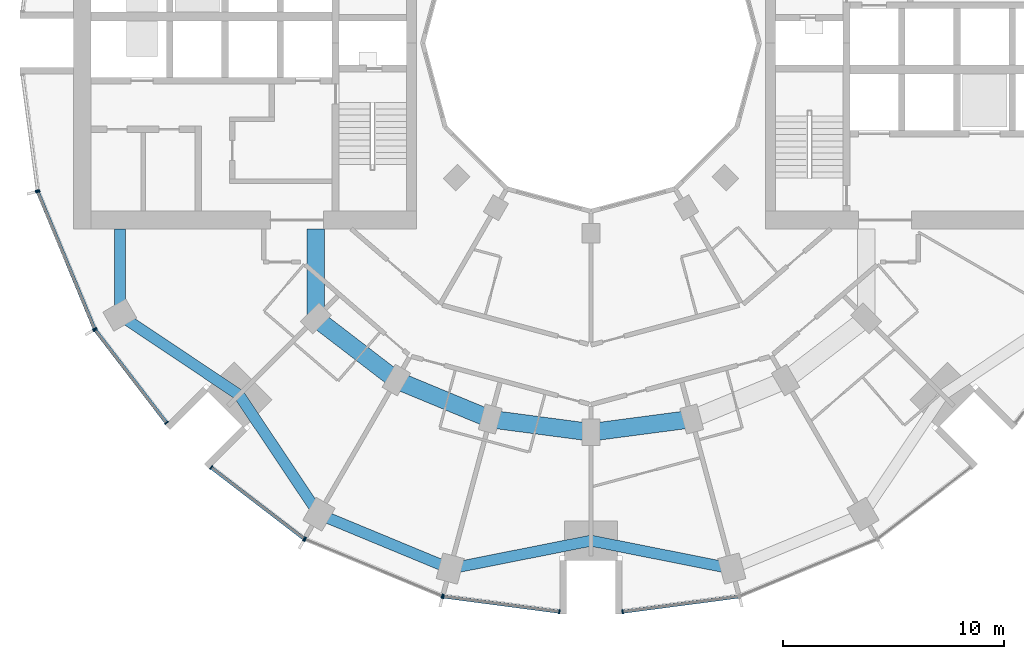
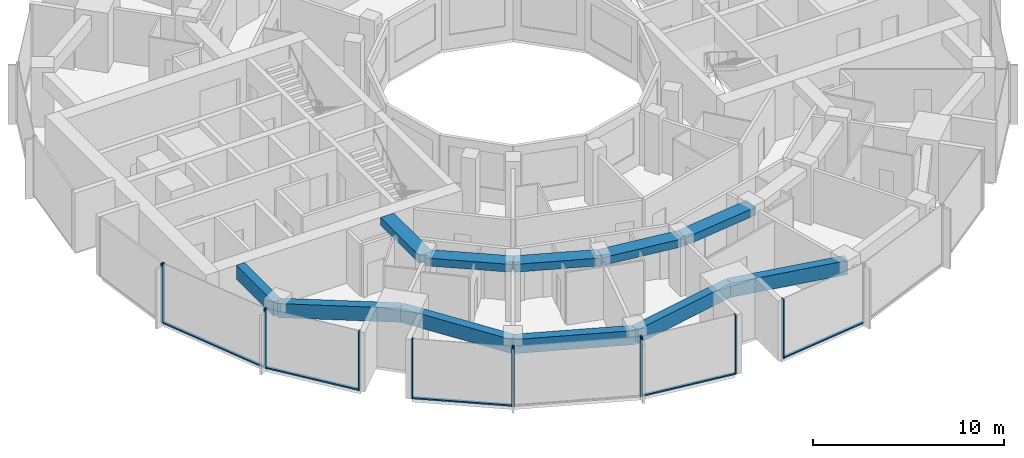
# One storey, part 2 of 15: 17 members, 11 beams, 7 elements without a shape of their own.
"""IFC4 building model written with IfcOpenShell, lengths in metres."""

from ifc_helpers import new_model, si_unit, direction, frame, origin, origin_2d, place, context, subcontext, project, spatial, rectangle, extrude, material, layer, layer_set, material_profile, profile_set, type_object, element, aggregate, save


model = new_model("IFC4")

# Units and contexts
model_context = context("Model", 3, precision=1e-05, world=origin(), true_north=direction((0.0, 1.0)))
body_context = subcontext(model_context, "Body", "Model", "MODEL_VIEW")
ifc_project = project(units=[si_unit("LENGTHUNIT", "METRE"), si_unit("AREAUNIT", "SQUARE_METRE"), si_unit("VOLUMEUNIT", "CUBIC_METRE"), si_unit("PLANEANGLEUNIT", "RADIAN"), si_unit("MASSUNIT", "GRAM", prefix="KILO")], contexts=[model_context])

# Site, building, storey
site_placement = place(None, origin())
site = spatial("IfcSite", under=ifc_project, at=site_placement, CompositionType="ELEMENT")
building_placement = place(site_placement, origin())
building = spatial("IfcBuilding", under=site, at=building_placement, Name="Torre Brocal", CompositionType="ELEMENT")
storey_placement = place(building_placement, frame((0.0, 0.0, 40.199951171875)))
storey = spatial("IfcBuildingStorey", under=building, at=storey_placement, Name="L08", CompositionType="ELEMENT", Elevation=40.199951171875)

# Curtain wall, members
ifc_material_1 = material(Name="Aluminium and glass", Category="aluminium")
ifc_layer_1 = layer(ifc_material_1, 0.199951171875)
ifc_layer_set_1 = layer_set([ifc_layer_1], Name="Aluminium and glass")
curtain_wall_type_1 = type_object("IfcCurtainWallType", Name="CW-1 CURTAIN WALL 3800 HIGH", PredefinedType="NOTDEFINED", material=ifc_layer_set_1)
curtain_wall_1_placement = place(storey_placement, origin())
curtain_wall_1 = element("IfcCurtainWall", 1, at=curtain_wall_1_placement, inside=storey, type_object=curtain_wall_type_1, Name="CW-1 RUN 14", PredefinedType="NOTDEFINED")
ifc_material_2 = material(Name="Aluminium, dark anodised", Category="aluminium")
ifc_material_profile_1 = material_profile(ifc_material_2, rectangle(XDim=0.199951171875, YDim=0.06005859375, at=origin_2d()), Name="CW-1 MULLION 60X200")
ifc_profile_set_1 = profile_set([ifc_material_profile_1], Name="Aluminium, dark anodised")
member_type_1 = type_object("IfcMemberType", Name="CW-1 MULLION 60X200", PredefinedType="MULLION", material=ifc_profile_set_1)
member_1_placement = place(storey_placement, frame((54.994873046875, 68.26904296875, 0.0), z_axis=(0.0, 0.0, 1.0), x_axis=(0.923879532525, 0.382683432333, 0.0)))
member_1 = element("IfcMember", 2, at=member_1_placement, type_object=member_type_1, Name="CW1-1 mullion 1", PredefinedType="MULLION", context=body_context, shape_type="SweptSolid", body=[
    extrude(rectangle(XDim=0.199951171875, YDim=0.06005859375, at=origin_2d()), origin(), (0.0, 0.0, 1.0), 3.800048828125),
])
member_2_placement = place(storey_placement, frame((57.559326171875, 62.078125, 0.0), z_axis=(0.0, 0.0, 1.0), x_axis=(0.923879532525, 0.382683432333, 0.0)))
member_2 = element("IfcMember", 3, at=member_2_placement, type_object=member_type_1, Name="CW1-1 mullion 2", PredefinedType="MULLION", context=body_context, shape_type="SweptSolid", body=[
    extrude(rectangle(XDim=0.199951171875, YDim=0.06005859375, at=origin_2d()), origin(), (0.0, 0.0, 1.0), 3.800048828125),
])

curtain_wall_2_placement = place(storey_placement, origin())
curtain_wall_2 = element("IfcCurtainWall", 4, at=curtain_wall_2_placement, inside=storey, type_object=curtain_wall_type_1, Name="CW-1 RUN 15", PredefinedType="NOTDEFINED")
member_3_placement = place(storey_placement, frame((57.5888671875, 62.026611328125, 0.0), z_axis=(0.0, 0.0, 1.0), x_axis=(0.793353340259, 0.60876142905, 0.0)))
member_3 = element("IfcMember", 5, at=member_3_placement, type_object=member_type_1, Name="CW1-1 mullion 1", PredefinedType="MULLION", context=body_context, shape_type="SweptSolid", body=[
    extrude(rectangle(XDim=0.199951171875, YDim=0.06005859375, at=origin_2d()), origin(), (0.0, 0.0, 1.0), 3.800048828125),
])
member_4_placement = place(storey_placement, frame((60.80859375, 57.83056640625, 0.0), z_axis=(0.0, 0.0, 1.0), x_axis=(0.793353340259, 0.60876142905, 0.0)))
member_4 = element("IfcMember", 6, at=member_4_placement, type_object=member_type_1, Name="CW1-1 mullion 2", PredefinedType="MULLION", context=body_context, shape_type="SweptSolid", body=[
    extrude(rectangle(XDim=0.199951171875, YDim=0.06005859375, at=origin_2d()), origin(), (0.0, 0.0, 1.0), 3.800048828125),
])

curtain_wall_3_placement = place(storey_placement, origin())
curtain_wall_3 = element("IfcCurtainWall", 7, at=curtain_wall_3_placement, inside=storey, type_object=curtain_wall_type_1, Name="CW-1 RUN 16", PredefinedType="NOTDEFINED")
member_5_placement = place(storey_placement, frame((62.83056640625, 55.80859375, 0.0), z_axis=(0.0, 0.0, 1.0), x_axis=(0.60876142905, 0.793353340259, 0.0)))
member_5 = element("IfcMember", 8, at=member_5_placement, type_object=member_type_1, Name="CW1-1 mullion 1", PredefinedType="MULLION", context=body_context, shape_type="SweptSolid", body=[
    extrude(rectangle(XDim=0.199951171875, YDim=0.06005859375, at=origin_2d()), origin(), (0.0, 0.0, 1.0), 3.800048828125),
])
member_6_placement = place(storey_placement, frame((67.026611328125, 52.5888671875, 0.0), z_axis=(0.0, 0.0, 1.0), x_axis=(0.60876142905, 0.793353340259, 0.0)))
member_6 = element("IfcMember", 9, at=member_6_placement, type_object=member_type_1, Name="CW1-1 mullion 2", PredefinedType="MULLION", context=body_context, shape_type="SweptSolid", body=[
    extrude(rectangle(XDim=0.199951171875, YDim=0.06005859375, at=origin_2d()), origin(), (0.0, 0.0, 1.0), 3.800048828125),
])

curtain_wall_4_placement = place(storey_placement, origin())
curtain_wall_4 = element("IfcCurtainWall", 10, at=curtain_wall_4_placement, inside=storey, type_object=curtain_wall_type_1, Name="CW-1 RUN 17", PredefinedType="NOTDEFINED")
member_7_placement = place(storey_placement, frame((67.078125, 52.559326171875, 0.0), z_axis=(0.0, 0.0, 1.0), x_axis=(0.382683432333, 0.923879532525, 0.0)))
member_7 = element("IfcMember", 11, at=member_7_placement, type_object=member_type_1, Name="CW1-1 mullion 1", PredefinedType="MULLION", context=body_context, shape_type="SweptSolid", body=[
    extrude(rectangle(XDim=0.199951171875, YDim=0.06005859375, at=origin_2d()), origin(), (0.0, 0.0, 1.0), 3.800048828125),
])
member_8_placement = place(storey_placement, frame((73.26904296875, 49.994873046875, 0.0), z_axis=(0.0, 0.0, 1.0), x_axis=(0.382683432333, 0.923879532525, 0.0)))
member_8 = element("IfcMember", 12, at=member_8_placement, type_object=member_type_1, Name="CW1-1 mullion 2", PredefinedType="MULLION", context=body_context, shape_type="SweptSolid", body=[
    extrude(rectangle(XDim=0.199951171875, YDim=0.06005859375, at=origin_2d()), origin(), (0.0, 0.0, 1.0), 3.800048828125),
])
aggregate(curtain_wall_4, [member_7, member_8])

curtain_wall_5_placement = place(storey_placement, origin())
curtain_wall_5 = element("IfcCurtainWall", 13, at=curtain_wall_5_placement, inside=storey, type_object=curtain_wall_type_1, Name="CW-1 RUN 18", PredefinedType="NOTDEFINED")
member_9_placement = place(storey_placement, frame((73.32666015625, 49.9794921875, 0.0), z_axis=(0.0, 0.0, 1.0), x_axis=(0.13052619222, 0.991444861374, 0.0)))
member_9 = element("IfcMember", 14, at=member_9_placement, type_object=member_type_1, Name="CW1-1 mullion 1", PredefinedType="MULLION", context=body_context, shape_type="SweptSolid", body=[
    extrude(rectangle(XDim=0.199951171875, YDim=0.06005859375, at=origin_2d()), origin(), (0.0, 0.0, 1.0), 3.800048828125),
])
member_10_placement = place(storey_placement, frame((78.5703125, 49.2890625, 0.0), z_axis=(0.0, 0.0, 1.0), x_axis=(0.13052619222, 0.991444861374, 0.0)))
member_10 = element("IfcMember", 15, at=member_10_placement, type_object=member_type_1, Name="CW1-1 mullion 2", PredefinedType="MULLION", context=body_context, shape_type="SweptSolid", body=[
    extrude(rectangle(XDim=0.199951171875, YDim=0.06005859375, at=origin_2d()), origin(), (0.0, 0.0, 1.0), 3.800048828125),
])

# Curtain wall, member
curtain_wall_6_placement = place(storey_placement, origin())
curtain_wall_6 = element("IfcCurtainWall", 16, at=curtain_wall_6_placement, inside=storey, type_object=curtain_wall_type_1, Name="CW-1 RUN 19", PredefinedType="NOTDEFINED")
member_11_placement = place(storey_placement, frame((81.4296875, 49.2890625, 0.0), z_axis=(0.0, 0.0, 1.0), x_axis=(-0.13052619222, 0.991444861374, 0.0)))
member_11 = element("IfcMember", 17, at=member_11_placement, type_object=member_type_1, Name="CW1-1 mullion 1", PredefinedType="MULLION", context=body_context, shape_type="SweptSolid", body=[
    extrude(rectangle(XDim=0.199951171875, YDim=0.06005859375, at=origin_2d()), origin(), (0.0, 0.0, 1.0), 3.800048828125),
])

# Member
ifc_material_3 = material(Name="Aluminium, dark anodised", Category="aluminium")
ifc_material_profile_2 = material_profile(ifc_material_3, rectangle(XDim=0.159912109375, YDim=0.080078125, at=origin_2d()), Name="CW-1 TRANSOM 160X80")
ifc_profile_set_2 = profile_set([ifc_material_profile_2], Name="Aluminium, dark anodised")
member_type_2 = type_object("IfcMemberType", Name="CW-1 TRANSOM 160X80", PredefinedType="USERDEFINED", material=ifc_profile_set_2)
member_12_placement = place(storey_placement, frame((55.00634765625, 68.241455078125, 0.0400390625), z_axis=(0.38266457234, -0.923887344364, 0.0), x_axis=(0.923887344364, 0.38266457234, 0.0)))
member_12 = element("IfcMember", 18, at=member_12_placement, type_object=member_type_2, Name="CW1-1 transom 1.1", ObjectType="TRANSOM", PredefinedType="USERDEFINED", context=body_context, shape_type="SweptSolid", body=[
    extrude(rectangle(XDim=0.159912109375, YDim=0.080078125, at=origin_2d()), origin(), (0.0, 0.0, 1.0), 6.640869140625),
])

aggregate(curtain_wall_1, [member_1, member_2, member_12])

member_13_placement = place(storey_placement, frame((57.607177734375, 62.0029296875, 0.0400390625), z_axis=(0.60874908096, -0.79336281513, 0.0), x_axis=(0.79336281513, 0.60874908096, 0.0)))
member_13 = element("IfcMember", 19, at=member_13_placement, type_object=member_type_2, Name="CW1-1 transom 1.1", ObjectType="TRANSOM", PredefinedType="USERDEFINED", context=body_context, shape_type="SweptSolid", body=[
    extrude(rectangle(XDim=0.159912109375, YDim=0.080078125, at=origin_2d()), origin(), (0.0, 0.0, 1.0), 5.22900390625),
])

aggregate(curtain_wall_2, [member_3, member_4, member_13])

member_14_placement = place(storey_placement, frame((62.8544921875, 55.790283203125, 0.0400390625), z_axis=(0.79336281513, -0.60874908096, 0.0), x_axis=(0.60874908096, 0.79336281513, 0.0)))
member_14 = element("IfcMember", 20, at=member_14_placement, type_object=member_type_2, Name="CW1-1 transom 1.1", ObjectType="TRANSOM", PredefinedType="USERDEFINED", context=body_context, shape_type="SweptSolid", body=[
    extrude(rectangle(XDim=0.159912109375, YDim=0.080078125, at=origin_2d()), origin(), (0.0, 0.0, 1.0), 5.22900390625),
])

aggregate(curtain_wall_3, [member_5, member_6, member_14])

member_15_placement = place(storey_placement, frame((73.356201171875, 49.9755859375, 0.0400390625), z_axis=(0.991442690863, -0.130542677827, 0.0), x_axis=(0.130542677827, 0.991442690863, 0.0)))
member_15 = element("IfcMember", 21, at=member_15_placement, type_object=member_type_2, Name="CW1-1 transom 1.1", ObjectType="TRANSOM", PredefinedType="USERDEFINED", context=body_context, shape_type="SweptSolid", body=[
    extrude(rectangle(XDim=0.159912109375, YDim=0.080078125, at=origin_2d()), origin(), (0.0, 0.0, 1.0), 5.22900390625),
])

aggregate(curtain_wall_5, [member_9, member_10, member_15])

member_16_placement = place(storey_placement, frame((81.45947265625, 49.29296875, 0.0400390625), z_axis=(0.991442690863, 0.130542677827, 0.0), x_axis=(-0.130542677827, 0.991442690863, 0.0)))
member_16 = element("IfcMember", 22, at=member_16_placement, type_object=member_type_2, Name="CW1-1 transom 1.1", ObjectType="TRANSOM", PredefinedType="USERDEFINED", context=body_context, shape_type="SweptSolid", body=[
    extrude(rectangle(XDim=0.159912109375, YDim=0.080078125, at=origin_2d()), origin(), (0.0, 0.0, 1.0), 5.22900390625),
])

aggregate(curtain_wall_6, [member_11, member_16])

# Curtain wall, member
ifc_material_4 = material(Name="Aluminium and glass", Category="aluminium")
ifc_layer_2 = layer(ifc_material_4, 0.199951171875)
ifc_layer_set_2 = layer_set([ifc_layer_2], Name="Aluminium and glass")
curtain_wall_type_2 = type_object("IfcCurtainWallType", Name="CW-1B CURTAIN WALL 3800 HIGH", PredefinedType="NOTDEFINED", material=ifc_layer_set_2)
curtain_wall_7_placement = place(storey_placement, origin())
curtain_wall_7 = element("IfcCurtainWall", 23, at=curtain_wall_7_placement, inside=storey, type_object=curtain_wall_type_2, Name="CW-1B RUN 13", PredefinedType="NOTDEFINED")
ifc_material_5 = material(Name="Aluminium, dark anodised", Category="aluminium")
ifc_material_profile_3 = material_profile(ifc_material_5, rectangle(XDim=0.199951171875, YDim=0.06005859375, at=origin_2d()), Name="CW-1B MULLION 60X200")
ifc_profile_set_3 = profile_set([ifc_material_profile_3], Name="Aluminium, dark anodised")
member_type_3 = type_object("IfcMemberType", Name="CW-1B MULLION 60X200", PredefinedType="MULLION", material=ifc_profile_set_3)
member_17_placement = place(storey_placement, frame((54.9794921875, 68.32666015625, 0.0), z_axis=(0.0, 0.0, 1.0), x_axis=(0.991444861374, 0.13052619222, 0.0)))
member_17 = element("IfcMember", 24, at=member_17_placement, type_object=member_type_3, Name="CW1B-1 mullion 2", PredefinedType="MULLION", context=body_context, shape_type="SweptSolid", body=[
    extrude(rectangle(XDim=0.199951171875, YDim=0.06005859375, at=origin_2d()), origin(), (0.0, 0.0, 1.0), 3.800048828125),
])
aggregate(curtain_wall_7, [member_17])

# Beams
ifc_material_6 = material(Name="Concrete C50", Category="concrete")
ifc_material_profile_4 = material_profile(ifc_material_6, rectangle(XDim=0.800048828125, YDim=0.5, at=origin_2d()), Name="RC 800X500")
ifc_profile_set_4 = profile_set([ifc_material_profile_4], Name="Concrete C50")
beam_type_1 = type_object("IfcBeamType", Name="RC BEAM 800X500 C50 TOP 3480", PredefinedType="BEAM", material=ifc_profile_set_4)
beam_1_placement = place(storey_placement, frame((67.554931640625, 62.554931640625, 3.22998046875), z_axis=(0.0, 1.0, 0.0), x_axis=(-1.0, 0.0, 0.0)))
element("IfcBeam", 25, at=beam_1_placement, inside=storey, type_object=beam_type_1, Name="Beam BT-19", PredefinedType="BEAM", context=body_context, shape_type="SweptSolid", body=[
    extrude(rectangle(XDim=0.800048828125, YDim=0.5, at=origin_2d()), origin(), (0.0, 0.0, 1.0), 4.045166015625),
])
beam_2_placement = place(storey_placement, frame((67.554931640625, 62.554931640625, 3.22998046875), z_axis=(0.793358265959, -0.6087550097, 0.0), x_axis=(0.6087550097, 0.793358265959, 0.0)))
element("IfcBeam", 26, at=beam_2_placement, inside=storey, type_object=beam_type_1, Name="Beam BT-19", PredefinedType="BEAM", context=body_context, shape_type="SweptSolid", body=[
    extrude(rectangle(XDim=0.800048828125, YDim=0.5, at=origin_2d()), origin(), (0.0, 0.0, 1.0), 4.594482421875),
])
beam_3_placement = place(storey_placement, frame((71.199951171875, 59.758056640625, 3.22998046875), z_axis=(0.923878240166, -0.382686552348, 0.0), x_axis=(0.382686552348, 0.923878240166, 0.0)))
element("IfcBeam", 27, at=beam_3_placement, inside=storey, type_object=beam_type_1, Name="Beam BT-19", PredefinedType="BEAM", context=body_context, shape_type="SweptSolid", body=[
    extrude(rectangle(XDim=0.800048828125, YDim=0.5, at=origin_2d()), origin(), (0.0, 0.0, 1.0), 4.5947265625),
])
for number, where, z_axis, x_axis, name in (
    (28, (75.44482421875, 57.999755859375, 3.22998046875), (0.991440544449, -0.130558978332, 0.0), (0.130558978332, 0.991440544449, 0.0), "Beam BT-19"),
    (29, (80.0, 57.39990234375, 3.22998046875), (0.991440544449, 0.130558978332, 0.0), (-0.130558978332, 0.991440544449, 0.0), "Beam BT-19"),
):
    element("IfcBeam", number, at=place(storey_placement, frame(where, z_axis=z_axis, x_axis=x_axis)), inside=storey, type_object=beam_type_1, Name=name, PredefinedType="BEAM", context=body_context, shape_type="SweptSolid", body=[
        extrude(rectangle(XDim=0.800048828125, YDim=0.5, at=origin_2d()), origin(), (0.0, 0.0, 1.0), 4.594482421875),
    ])
ifc_material_7 = material(Name="Concrete C50", Category="concrete")
ifc_material_profile_5 = material_profile(ifc_material_7, rectangle(XDim=0.5, YDim=0.89990234375, at=origin_2d()), Name="RC 500X900")
ifc_profile_set_5 = profile_set([ifc_material_profile_5], Name="Concrete C50")
beam_type_2 = type_object("IfcBeamType", Name="RC SPANDREL BEAM 500X900 C50 TOP 3480", PredefinedType="SPANDREL", material=ifc_profile_set_5)
beam_4_placement = place(storey_placement, frame((58.69580078125, 62.699951171875, 3.030029296875), z_axis=(0.0, 1.0, 0.0), x_axis=(-1.0, 0.0, 0.0)))
element("IfcBeam", 30, at=beam_4_placement, inside=storey, type_object=beam_type_2, Name="Beam BT-20", PredefinedType="SPANDREL", context=body_context, shape_type="SweptSolid", body=[
    extrude(rectangle(XDim=0.5, YDim=0.89990234375, at=origin_2d()), origin(), (0.0, 0.0, 1.0), 3.900146484375),
])
for number, where, z_axis, x_axis, name in (
    (31, (58.69580078125, 62.699951171875, 3.030029296875), (0.831076844476, -0.556157602282, 0.0), (0.556157602282, 0.831076844476, 0.0), "Beam BT-20"),
    (32, (64.090087890625, 59.090087890625, 3.030029296875), (0.556157602282, -0.831076844476, 0.0), (0.831076844476, 0.556157602282, 0.0), "Beam BT-20"),
):
    element("IfcBeam", number, at=place(storey_placement, frame(where, z_axis=z_axis, x_axis=x_axis)), inside=storey, type_object=beam_type_2, Name=name, PredefinedType="SPANDREL", context=body_context, shape_type="SweptSolid", body=[
        extrude(rectangle(XDim=0.5, YDim=0.89990234375, at=origin_2d()), origin(), (0.0, 0.0, 1.0), 6.49072265625),
    ])
beam_5_placement = place(storey_placement, frame((67.699951171875, 53.69580078125, 3.030029296875), z_axis=(0.923882462513, -0.382676358639, 0.0), x_axis=(0.382676358639, 0.923882462513, 0.0)))
element("IfcBeam", 33, at=beam_5_placement, inside=storey, type_object=beam_type_2, Name="Beam BT-20", PredefinedType="SPANDREL", context=body_context, shape_type="SweptSolid", body=[
    extrude(rectangle(XDim=0.5, YDim=0.89990234375, at=origin_2d()), origin(), (0.0, 0.0, 1.0), 6.421875),
])
for number, where, z_axis, x_axis, name in (
    (34, (73.633056640625, 51.23828125, 3.030029296875), (0.980924907484, 0.194387051723, 0.0), (-0.194387051723, 0.980924907484, 0.0), "Beam BT-20"),
    (35, (80.0, 52.5, 3.030029296875), (0.980924907484, -0.194387051723, 0.0), (0.194387051723, 0.980924907484, 0.0), "Beam BT-20"),
):
    element("IfcBeam", number, at=place(storey_placement, frame(where, z_axis=z_axis, x_axis=x_axis)), inside=storey, type_object=beam_type_2, Name=name, PredefinedType="SPANDREL", context=body_context, shape_type="SweptSolid", body=[
        extrude(rectangle(XDim=0.5, YDim=0.89990234375, at=origin_2d()), origin(), (0.0, 0.0, 1.0), 6.49072265625),
    ])

save(model, "model.ifc")
